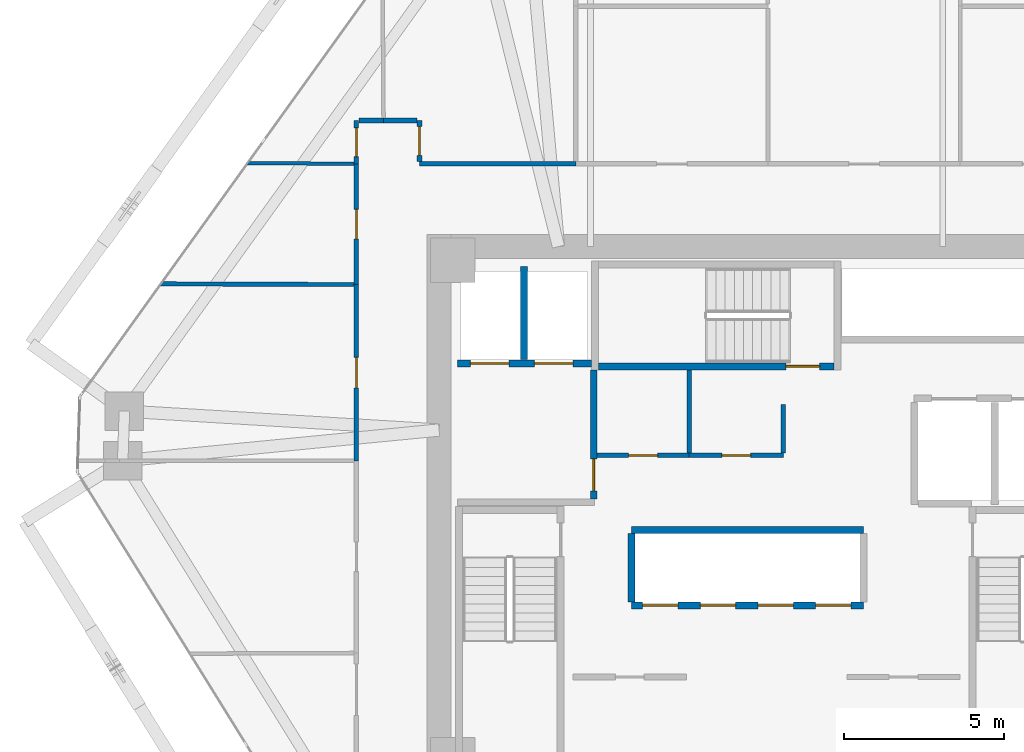
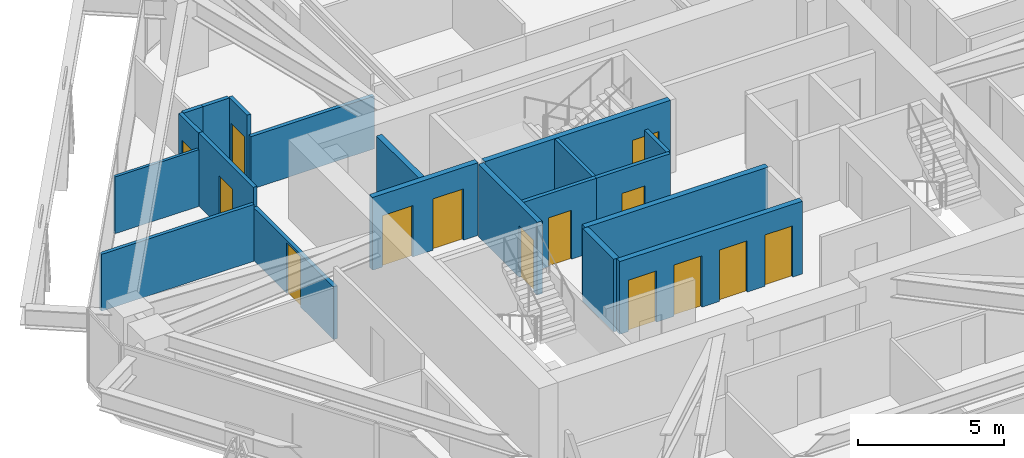
# One storey, part 13 of 16: 20 walls, 14 doors, 14 openings.
"""IFC4 building model written with IfcOpenShell, lengths in metres."""

from ifc_helpers import new_model, si_unit, direction, frame, frame_2d, origin, place, context, subcontext, project, spatial, rectangle, extrude, source, transform, mapped, material, layer, layer_set, type_object, type_shapes, element, fill, save


model = new_model("IFC4")

# Units and contexts
model_context = context("Model", 3, precision=1e-05, world=origin(), true_north=direction((0.0, 1.0)))
body_context = subcontext(model_context, "Body", "Model", "MODEL_VIEW")
ifc_project = project(units=[si_unit("LENGTHUNIT", "METRE"), si_unit("AREAUNIT", "SQUARE_METRE"), si_unit("VOLUMEUNIT", "CUBIC_METRE"), si_unit("PLANEANGLEUNIT", "RADIAN"), si_unit("MASSUNIT", "GRAM", prefix="KILO")], contexts=[model_context])

# Site, building, storey
site_placement = place(None, origin())
site = spatial("IfcSite", under=ifc_project, at=site_placement, CompositionType="ELEMENT")
building_placement = place(site_placement, origin())
building = spatial("IfcBuilding", under=site, at=building_placement, Name="Durnholm Broadcast Tower", CompositionType="ELEMENT")
storey_placement = place(building_placement, frame((0.0, 0.0, 117.300048828125)))
storey = spatial("IfcBuildingStorey", under=building, at=storey_placement, Name="L31", CompositionType="ELEMENT", Elevation=117.300048828125)

# Wall, opening, door
ifc_material_1 = material(Name="Fire-Rated Gypsum Shaftwall", Category="concrete")
ifc_layer_1 = layer(ifc_material_1, 0.199951171875)
ifc_layer_set_1 = layer_set([ifc_layer_1], Name="Fire-Rated Gypsum Shaftwall")
wall_type_1 = type_object("IfcWallType", Name="WALL-LOB-200", PredefinedType="SOLIDWALL", material=ifc_layer_set_1)
wall_1_placement = place(storey_placement, frame((-5.39990234375, 0.35400390625, 0.0), z_axis=(0.0, 0.0, 1.0), x_axis=(0.0, 1.0, 0.0)))
wall_1 = element("IfcWall", 1, at=wall_1_placement, inside=storey, type_object=wall_type_1, Name="L31 Fire Service Access Elevator lobby east fire wall", PredefinedType="SOLIDWALL", context=body_context, shape_type="SweptSolid", body=[
    extrude(rectangle(XDim=4.02587890625, YDim=0.199951171875, at=frame_2d((2.012939453125, 0.0))), origin(), (0.0, 0.0, 1.0), 3.044921875),
])
opening_1_placement = place(wall_1_placement, frame((0.24609375, 0.0, 0.0)))
opening_1 = element("IfcOpeningElement", 2, at=opening_1_placement, cuts=wall_1, Name="Opening DL-60R", PredefinedType="OPENING", context=body_context, shape_type="SweptSolid", body=[
    extrude(rectangle(XDim=1.0, YDim=2.14990234375, at=frame_2d((0.5, 1.074951171875))), frame((0.0, 0.10986328125, 0.0), z_axis=(0.0, -1.0, 0.0), x_axis=(1.0, 0.0, 0.0)), (0.0, 0.0, 1.0), 0.219970703125),
])
ifc_material_2 = material(Name="Fire-Rated Timber/Steel Door", Category="steel")
ifc_layer_2 = layer(ifc_material_2, 0.050048828125)
ifc_layer_set_2 = layer_set([ifc_layer_2], Name="Fire-Rated Timber/Steel Door")
door_type_1 = type_object("IfcDoorType", Name="DOOR-LOB-FD60-R", OperationType="NOTDEFINED", PredefinedType="DOOR", material=ifc_layer_set_2)
shared_shape_1 = source(origin(), body_context, "Body", "SweptSolid", [
    extrude(rectangle(XDim=1.0, YDim=2.14990234375, at=frame_2d((0.5, 1.074951171875))), frame((0.0, 0.02490234375, 0.0), z_axis=(0.0, -1.0, 0.0), x_axis=(1.0, 0.0, 0.0)), (0.0, 0.0, 1.0), 0.050048828125),
])
type_shapes(door_type_1, [shared_shape_1])
door_1_placement = place(opening_1_placement, origin())
door_1 = element("IfcDoor", 3, at=door_1_placement, inside=storey, type_object=door_type_1, Name="L31 Fire Service Access Elevator lobby smoke door", OperationType="SINGLE_SWING_RIGHT", OverallHeight=2.14990234375, OverallWidth=1.0, PredefinedType="DOOR", context=body_context, shape_type="MappedRepresentation", body=[
    mapped(shared_shape_1, transform((0.0, 0.0, 0.0), x_axis=(1.0, 0.0, 0.0), y_axis=(0.0, 1.0, 0.0), z_axis=(0.0, 0.0, 1.0), scale=1.0)),
])
fill(opening_1, door_1)

# Walls
ifc_material_3 = material(Name="Operable Acoustic Panel Partition", Category="aluminium")
ifc_layer_3 = layer(ifc_material_3, 0.110107421875)
ifc_layer_set_3 = layer_set([ifc_layer_3], Name="Operable Acoustic Panel Partition")
wall_type_2 = type_object("IfcWallType", Name="WALL-MOV-110", PredefinedType="MOVABLE", material=ifc_layer_set_3)
wall_2_placement = place(storey_placement, frame((-12.888916015625, 10.810546875, 0.0), z_axis=(0.0, 0.0, 1.0), x_axis=(-0.999976657862, 0.006832549348, 0.0)))
element("IfcWall", 4, at=wall_2_placement, inside=storey, type_object=wall_type_2, Name="L31 room dividing partition 8.23", PredefinedType="MOVABLE", context=body_context, shape_type="SweptSolid", body=[
    extrude(rectangle(XDim=3.322998046875, YDim=0.110107421875, at=frame_2d((1.66162109375, 0.0))), origin(), (0.0, 0.0, 1.0), 2.3798828125),
])
ifc_material_4 = material(Name="Gypsum Metal Stud Partition", Category="concrete")
ifc_layer_4 = layer(ifc_material_4, 0.135009765625)
ifc_layer_set_4 = layer_set([ifc_layer_4], Name="Gypsum Metal Stud Partition")
wall_type_3 = type_object("IfcWallType", Name="WALL-PART-135", PredefinedType="PARTITIONING", material=ifc_layer_set_4)
wall_3_placement = place(storey_placement, frame((-2.419921875, 4.375, 0.0), z_axis=(0.0, 0.0, 1.0), x_axis=(0.0, -1.0, 0.0)))
element("IfcWall", 5, at=wall_3_placement, inside=storey, type_object=wall_type_3, Name="L31 room dividing partition 3.4", PredefinedType="PARTITIONING", context=body_context, shape_type="SweptSolid", body=[
    extrude(rectangle(XDim=2.5859375, YDim=0.135009765625, at=frame_2d((1.29296875, 0.0))), origin(), (0.0, 0.0, 1.0), 3.044921875),
])
wall_4_placement = place(storey_placement, frame((-18.92041015625, 7.063232421875, 0.0), z_axis=(0.0, 0.0, 1.0), x_axis=(0.999992761455, -0.003804870252, 0.0)))
element("IfcWall", 6, at=wall_4_placement, inside=storey, type_object=wall_type_3, Name="L31 room dividing partition 22.23", PredefinedType="PARTITIONING", context=body_context, shape_type="SweptSolid", body=[
    extrude(rectangle(XDim=6.031494140625, YDim=0.135009765625, at=frame_2d((3.015625, 0.0))), origin(), (0.0, 0.0, 1.0), 2.3798828125),
])

# Wall, opening, door
ifc_material_5 = material(Name="Acoustic Gypsum Stud Partition", Category="concrete")
ifc_layer_5 = layer(ifc_material_5, 0.14990234375)
ifc_layer_set_5 = layer_set([ifc_layer_5], Name="Acoustic Gypsum Stud Partition")
wall_type_4 = type_object("IfcWallType", Name="WALL-PART-150", PredefinedType="PARTITIONING", material=ifc_layer_set_5)
wall_5_placement = place(storey_placement, frame((-2.419921875, 1.7099609375, 0.0), z_axis=(0.0, 0.0, 1.0), x_axis=(-1.0, 0.0, 0.0)))
wall_5 = element("IfcWall", 7, at=wall_5_placement, inside=storey, type_object=wall_type_4, Name="L31 Core Equipment Store corridor partition", PredefinedType="PARTITIONING", context=body_context, shape_type="SweptSolid", body=[
    extrude(rectangle(XDim=2.8759765625, YDim=0.14990234375, at=frame_2d((1.43798828125, 0.0))), origin(), (0.0, 0.0, 1.0), 3.044921875),
])
opening_2_placement = place(wall_5_placement, frame((0.988037109375, 0.0, 0.0)))
opening_2 = element("IfcOpeningElement", 8, at=opening_2_placement, cuts=wall_5, Name="Opening DC-60R", PredefinedType="OPENING", context=body_context, shape_type="SweptSolid", body=[
    extrude(rectangle(XDim=0.89990234375, YDim=2.050048828125, at=frame_2d((0.449951171875, 1.02490234375))), frame((0.0, 0.0849609375, 0.0), z_axis=(0.0, -1.0, 0.0), x_axis=(1.0, 0.0, 0.0)), (0.0, 0.0, 1.0), 0.169921875),
])
ifc_material_6 = material(Name="Fire-Rated Core Service Door", Category="steel")
ifc_layer_6 = layer(ifc_material_6, 0.050048828125)
ifc_layer_set_6 = layer_set([ifc_layer_6], Name="Fire-Rated Core Service Door")
door_type_2 = type_object("IfcDoorType", Name="DOOR-CORE-FD60-R", OperationType="NOTDEFINED", PredefinedType="DOOR", material=ifc_layer_set_6)
shared_shape_2 = source(origin(), body_context, "Body", "SweptSolid", [
    extrude(rectangle(XDim=0.89990234375, YDim=2.050048828125, at=frame_2d((0.449951171875, 1.02490234375))), frame((0.0, 0.02490234375, 0.0), z_axis=(0.0, -1.0, 0.0), x_axis=(1.0, 0.0, 0.0)), (0.0, 0.0, 1.0), 0.050048828125),
])
type_shapes(door_type_2, [shared_shape_2])
door_2_placement = place(opening_2_placement, origin())
door_2 = element("IfcDoor", 9, at=door_2_placement, inside=storey, type_object=door_type_2, Name="L31 Core Equipment Store entrance door", OperationType="SINGLE_SWING_RIGHT", OverallHeight=2.050048828125, OverallWidth=0.89990234375, PredefinedType="DOOR", context=body_context, shape_type="MappedRepresentation", body=[
    mapped(shared_shape_2, transform((0.0, 0.0, 0.0), x_axis=(1.0, 0.0, 0.0), y_axis=(0.0, 1.0, 0.0), z_axis=(0.0, 0.0, 1.0), scale=1.0)),
])
fill(opening_2, door_2)

wall_6_placement = place(storey_placement, frame((0.52001953125, 1.7099609375, 0.0), z_axis=(0.0, 0.0, 1.0), x_axis=(-1.0, 0.0, 0.0)))
wall_6 = element("IfcWall", 10, at=wall_6_placement, inside=storey, type_object=wall_type_4, Name="L31 Core Mail and Supply Room corridor partition", PredefinedType="PARTITIONING", context=body_context, shape_type="SweptSolid", body=[
    extrude(rectangle(XDim=2.93994140625, YDim=0.14990234375, at=frame_2d((1.469970703125, 0.0))), origin(), (0.0, 0.0, 1.0), 3.044921875),
])
opening_3_placement = place(wall_6_placement, frame((1.02001953125, 0.0, 0.0)))
opening_3 = element("IfcOpeningElement", 11, at=opening_3_placement, cuts=wall_6, Name="Opening DC-60L", PredefinedType="OPENING", context=body_context, shape_type="SweptSolid", body=[
    extrude(rectangle(XDim=0.89990234375, YDim=2.050048828125, at=frame_2d((0.449951171875, 1.02490234375))), frame((0.0, 0.0849609375, 0.0), z_axis=(0.0, -1.0, 0.0), x_axis=(1.0, 0.0, 0.0)), (0.0, 0.0, 1.0), 0.169921875),
])
ifc_layer_7 = layer(ifc_material_6, 0.050048828125)
ifc_layer_set_7 = layer_set([ifc_layer_7], Name="Fire-Rated Core Service Door")
door_type_3 = type_object("IfcDoorType", Name="DOOR-CORE-FD60-L", OperationType="NOTDEFINED", PredefinedType="DOOR", material=ifc_layer_set_7)
shared_shape_3 = source(origin(), body_context, "Body", "SweptSolid", [
    extrude(rectangle(XDim=0.89990234375, YDim=2.050048828125, at=frame_2d((0.449951171875, 1.02490234375))), frame((0.0, 0.02490234375, 0.0), z_axis=(0.0, -1.0, 0.0), x_axis=(1.0, 0.0, 0.0)), (0.0, 0.0, 1.0), 0.050048828125),
])
type_shapes(door_type_3, [shared_shape_3])
door_3_placement = place(opening_3_placement, origin())
door_3 = element("IfcDoor", 12, at=door_3_placement, inside=storey, type_object=door_type_3, Name="L31 Core Mail and Supply Room entrance door", OperationType="SINGLE_SWING_LEFT", OverallHeight=2.050048828125, OverallWidth=0.89990234375, PredefinedType="DOOR", context=body_context, shape_type="MappedRepresentation", body=[
    mapped(shared_shape_3, transform((0.0, 0.0, 0.0), x_axis=(1.0, 0.0, 0.0), y_axis=(0.0, 1.0, 0.0), z_axis=(0.0, 0.0, 1.0), scale=1.0)),
])
fill(opening_3, door_3)

# Wall
wall_7_placement = place(storey_placement, frame((0.52001953125, 3.300048828125, 0.0), z_axis=(0.0, 0.0, 1.0), x_axis=(0.0, -1.0, 0.0)))
element("IfcWall", 13, at=wall_7_placement, inside=storey, type_object=wall_type_4, Name="L31 Core Mail and Supply Room corridor partition", PredefinedType="PARTITIONING", context=body_context, shape_type="SweptSolid", body=[
    extrude(rectangle(XDim=1.510986328125, YDim=0.14990234375, at=frame_2d((0.75537109375, 0.0))), origin(), (0.0, 0.0, 1.0), 3.044921875),
])

# Wall, opening, door
wall_8_placement = place(storey_placement, frame((-12.81005859375, 12.159912109375, 0.0), z_axis=(0.0, 0.0, 1.0), x_axis=(0.0, -1.0, 0.0)))
wall_8 = element("IfcWall", 14, at=wall_8_placement, inside=storey, type_object=wall_type_4, Name="L31 Syndication Meeting Room 1 corridor partition", PredefinedType="PARTITIONING", context=body_context, shape_type="SweptSolid", body=[
    extrude(rectangle(XDim=1.349853515625, YDim=0.14990234375, at=frame_2d((0.6748046875, 0.0))), origin(), (0.0, 0.0, 1.0), 3.044921875),
])
opening_4_placement = place(wall_8_placement, frame((0.22509765625, 0.0, 0.0)))
opening_4 = element("IfcOpeningElement", 15, at=opening_4_placement, cuts=wall_8, Name="Opening DW-90L", PredefinedType="OPENING", context=body_context, shape_type="SweptSolid", body=[
    extrude(rectangle(XDim=0.89990234375, YDim=2.050048828125, at=frame_2d((0.449951171875, 1.02490234375))), frame((0.0, 0.0849609375, 0.0), z_axis=(0.0, -1.0, 0.0), x_axis=(1.0, 0.0, 0.0)), (0.0, 0.0, 1.0), 0.169921875),
])
ifc_material_7 = material(Name="Laminate Restroom Door", Category="steel")
ifc_layer_8 = layer(ifc_material_7, 0.050048828125)
ifc_layer_set_8 = layer_set([ifc_layer_8], Name="Laminate Restroom Door")
door_type_4 = type_object("IfcDoorType", Name="DOOR-WC-900L", OperationType="NOTDEFINED", PredefinedType="DOOR", material=ifc_layer_set_8)
shared_shape_4 = source(origin(), body_context, "Body", "SweptSolid", [
    extrude(rectangle(XDim=0.89990234375, YDim=2.050048828125, at=frame_2d((0.449951171875, 1.02490234375))), frame((0.0, 0.02490234375, 0.0), z_axis=(0.0, -1.0, 0.0), x_axis=(1.0, 0.0, 0.0)), (0.0, 0.0, 1.0), 0.050048828125),
])
type_shapes(door_type_4, [shared_shape_4])
door_4_placement = place(opening_4_placement, origin())
door_4 = element("IfcDoor", 16, at=door_4_placement, inside=storey, type_object=door_type_4, Name="L31 Syndication Meeting Room 1 entrance door", OperationType="SINGLE_SWING_LEFT", OverallHeight=2.050048828125, OverallWidth=0.89990234375, PredefinedType="DOOR", context=body_context, shape_type="MappedRepresentation", body=[
    mapped(shared_shape_4, transform((0.0, 0.0, 0.0), x_axis=(1.0, 0.0, 0.0), y_axis=(0.0, 1.0, 0.0), z_axis=(0.0, 0.0, 1.0), scale=1.0)),
])
fill(opening_4, door_4)

# Walls
wall_9_placement = place(storey_placement, frame((-11.9599609375, 12.159912109375, 0.0), z_axis=(0.0, 0.0, 1.0), x_axis=(-1.0, 0.0, 0.0)))
element("IfcWall", 17, at=wall_9_placement, inside=storey, type_object=wall_type_4, Name="L31 Syndication Meeting Room 1 corridor partition", PredefinedType="PARTITIONING", context=body_context, shape_type="SweptSolid", body=[
    extrude(rectangle(XDim=0.77099609375, YDim=0.14990234375, at=frame_2d((0.385498046875, 0.0))), origin(), (0.0, 0.0, 1.0), 3.044921875),
])
wall_10_placement = place(storey_placement, frame((-5.9599609375, 10.81005859375, 0.0), z_axis=(0.0, 0.0, 1.0), x_axis=(-1.0, 0.0, 0.0)))
element("IfcWall", 18, at=wall_10_placement, inside=storey, type_object=wall_type_4, Name="L31 Open Plan Broadcast Workspace 3 corridor partition", PredefinedType="PARTITIONING", context=body_context, shape_type="SweptSolid", body=[
    extrude(rectangle(XDim=4.880126953125, YDim=0.14990234375, at=frame_2d((2.43994140625, 0.0))), origin(), (0.0, 0.0, 1.0), 2.212158203125),
])

# Wall, opening, door
wall_11_placement = place(storey_placement, frame((-10.840087890625, 10.888916015625, 0.0), z_axis=(0.0, 0.0, 1.0), x_axis=(0.0, 1.0, 0.0)))
wall_11 = element("IfcWall", 19, at=wall_11_placement, inside=storey, type_object=wall_type_4, Name="L31 Open Plan Broadcast Workspace 3 corridor partition", PredefinedType="PARTITIONING", context=body_context, shape_type="SweptSolid", body=[
    extrude(rectangle(XDim=1.27099609375, YDim=0.14990234375, at=frame_2d((0.635498046875, 0.0))), origin(), (0.0, 0.0, 1.0), 3.044921875),
])
opening_5_placement = place(wall_11_placement, frame((0.185546875, 0.0, 0.0)))
opening_5 = element("IfcOpeningElement", 20, at=opening_5_placement, cuts=wall_11, Name="Opening DW-90R", PredefinedType="OPENING", context=body_context, shape_type="SweptSolid", body=[
    extrude(rectangle(XDim=0.89990234375, YDim=2.050048828125, at=frame_2d((0.449951171875, 1.02490234375))), frame((0.0, 0.0849609375, 0.0), z_axis=(0.0, -1.0, 0.0), x_axis=(1.0, 0.0, 0.0)), (0.0, 0.0, 1.0), 0.169921875),
])
ifc_layer_9 = layer(ifc_material_7, 0.050048828125)
ifc_layer_set_9 = layer_set([ifc_layer_9], Name="Laminate Restroom Door")
door_type_5 = type_object("IfcDoorType", Name="DOOR-WC-900R", OperationType="NOTDEFINED", PredefinedType="DOOR", material=ifc_layer_set_9)
shared_shape_5 = source(origin(), body_context, "Body", "SweptSolid", [
    extrude(rectangle(XDim=0.89990234375, YDim=2.050048828125, at=frame_2d((0.449951171875, 1.02490234375))), frame((0.0, 0.02490234375, 0.0), z_axis=(0.0, -1.0, 0.0), x_axis=(1.0, 0.0, 0.0)), (0.0, 0.0, 1.0), 0.050048828125),
])
type_shapes(door_type_5, [shared_shape_5])
door_5_placement = place(opening_5_placement, origin())
door_5 = element("IfcDoor", 21, at=door_5_placement, inside=storey, type_object=door_type_5, Name="L31 Open Plan Broadcast Workspace 3 entrance door", OperationType="SINGLE_SWING_RIGHT", OverallHeight=2.050048828125, OverallWidth=0.89990234375, PredefinedType="DOOR", context=body_context, shape_type="MappedRepresentation", body=[
    mapped(shared_shape_5, transform((0.0, 0.0, 0.0), x_axis=(1.0, 0.0, 0.0), y_axis=(0.0, 1.0, 0.0), z_axis=(0.0, 0.0, 1.0), scale=1.0)),
])
fill(opening_5, door_5)

# Wall
wall_12_placement = place(storey_placement, frame((-10.9189453125, 12.159912109375, 0.0), z_axis=(0.0, 0.0, 1.0), x_axis=(-1.0, 0.0, 0.0)))
element("IfcWall", 22, at=wall_12_placement, inside=storey, type_object=wall_type_4, Name="L31 Open Plan Broadcast Workspace 3 corridor partition", PredefinedType="PARTITIONING", context=body_context, shape_type="SweptSolid", body=[
    extrude(rectangle(XDim=1.041015625, YDim=0.14990234375, at=frame_2d((0.5205078125, 0.0))), origin(), (0.0, 0.0, 1.0), 3.044921875),
])

# Wall, opening, door
wall_13_placement = place(storey_placement, frame((-12.81005859375, 7.0400390625, 0.0), z_axis=(0.0, 0.0, 1.0), x_axis=(0.0, -1.0, 0.0)))
wall_13 = element("IfcWall", 23, at=wall_13_placement, inside=storey, type_object=wall_type_4, Name="L31 Hospitality Kitchen corridor partition", PredefinedType="PARTITIONING", context=body_context, shape_type="SweptSolid", body=[
    extrude(rectangle(XDim=5.5, YDim=0.14990234375, at=frame_2d((2.75, 0.0))), origin(), (0.0, 0.0, 1.0), 2.212158203125),
])
opening_6_placement = place(wall_13_placement, frame((2.27490234375, 0.0, 0.0)))
opening_6 = element("IfcOpeningElement", 24, at=opening_6_placement, cuts=wall_13, Name="Opening DR-95L", PredefinedType="OPENING", context=body_context, shape_type="SweptSolid", body=[
    extrude(rectangle(XDim=0.949951171875, YDim=2.10009765625, at=frame_2d((0.47509765625, 1.050048828125))), frame((0.0, 0.0849609375, 0.0), z_axis=(0.0, -1.0, 0.0), x_axis=(1.0, 0.0, 0.0)), (0.0, 0.0, 1.0), 0.169921875),
])
ifc_material_8 = material(Name="Acoustic Oak Veneer Timber Door", Category="wood")
ifc_layer_10 = layer(ifc_material_8, 0.050048828125)
ifc_layer_set_10 = layer_set([ifc_layer_10], Name="Acoustic Oak Veneer Timber Door")
door_type_6 = type_object("IfcDoorType", Name="DOOR-RM-950L", OperationType="NOTDEFINED", PredefinedType="DOOR", material=ifc_layer_set_10)
shared_shape_6 = source(origin(), body_context, "Body", "SweptSolid", [
    extrude(rectangle(XDim=0.949951171875, YDim=2.10009765625, at=frame_2d((0.47509765625, 1.050048828125))), frame((0.0, 0.02490234375, 0.0), z_axis=(0.0, -1.0, 0.0), x_axis=(1.0, 0.0, 0.0)), (0.0, 0.0, 1.0), 0.050048828125),
])
type_shapes(door_type_6, [shared_shape_6])
door_6_placement = place(opening_6_placement, origin())
door_6 = element("IfcDoor", 25, at=door_6_placement, inside=storey, type_object=door_type_6, Name="L31 Hospitality Kitchen entrance door", OperationType="SINGLE_SWING_LEFT", OverallHeight=2.10009765625, OverallWidth=0.949951171875, PredefinedType="DOOR", context=body_context, shape_type="MappedRepresentation", body=[
    mapped(shared_shape_6, transform((0.0, 0.0, 0.0), x_axis=(1.0, 0.0, 0.0), y_axis=(0.0, 1.0, 0.0), z_axis=(0.0, 0.0, 1.0), scale=1.0)),
])
fill(opening_6, door_6)

wall_14_placement = place(storey_placement, frame((-12.81005859375, 10.81005859375, 0.0), z_axis=(0.0, 0.0, 1.0), x_axis=(0.0, -1.0, 0.0)))
wall_14 = element("IfcWall", 26, at=wall_14_placement, inside=storey, type_object=wall_type_4, Name="L31 Account Lounge corridor partition", PredefinedType="PARTITIONING", context=body_context, shape_type="SweptSolid", body=[
    extrude(rectangle(XDim=3.77001953125, YDim=0.14990234375, at=frame_2d((1.885009765625, 0.0))), origin(), (0.0, 0.0, 1.0), 3.044921875),
])
opening_7_placement = place(wall_14_placement, frame((1.425048828125, 0.0, 0.0)))
opening_7 = element("IfcOpeningElement", 27, at=opening_7_placement, cuts=wall_14, Name="Opening DR-92R", PredefinedType="OPENING", context=body_context, shape_type="SweptSolid", body=[
    extrude(rectangle(XDim=0.919921875, YDim=2.10009765625, at=frame_2d((0.4599609375, 1.050048828125))), frame((0.0, 0.0849609375, 0.0), z_axis=(0.0, -1.0, 0.0), x_axis=(1.0, 0.0, 0.0)), (0.0, 0.0, 1.0), 0.169921875),
])
ifc_material_9 = material(Name="Oak Veneer Office Door", Category="wood")
ifc_layer_11 = layer(ifc_material_9, 0.050048828125)
ifc_layer_set_11 = layer_set([ifc_layer_11], Name="Oak Veneer Office Door")
door_type_7 = type_object("IfcDoorType", Name="DOOR-RM-920R", OperationType="NOTDEFINED", PredefinedType="DOOR", material=ifc_layer_set_11)
shared_shape_7 = source(origin(), body_context, "Body", "SweptSolid", [
    extrude(rectangle(XDim=0.919921875, YDim=2.10009765625, at=frame_2d((0.4599609375, 1.050048828125))), frame((0.0, 0.02490234375, 0.0), z_axis=(0.0, -1.0, 0.0), x_axis=(1.0, 0.0, 0.0)), (0.0, 0.0, 1.0), 0.050048828125),
])
type_shapes(door_type_7, [shared_shape_7])
door_7_placement = place(opening_7_placement, origin())
door_7 = element("IfcDoor", 28, at=door_7_placement, inside=storey, type_object=door_type_7, Name="L31 Account Lounge entrance door", OperationType="SINGLE_SWING_RIGHT", OverallHeight=2.10009765625, OverallWidth=0.919921875, PredefinedType="DOOR", context=body_context, shape_type="MappedRepresentation", body=[
    mapped(shared_shape_7, transform((0.0, 0.0, 0.0), x_axis=(1.0, 0.0, 0.0), y_axis=(0.0, 1.0, 0.0), z_axis=(0.0, 0.0, 1.0), scale=1.0)),
])
fill(opening_7, door_7)

# Wall, openings, doors
ifc_material_10 = material(Name="Concrete Blockwork C30/37", Category="masonry")
ifc_layer_12 = layer(ifc_material_10, 0.219970703125)
ifc_layer_set_12 = layer_set([ifc_layer_12], Name="Concrete Blockwork C30/37")
wall_type_5 = type_object("IfcWallType", Name="WALL-SHAFT-220", PredefinedType="SOLIDWALL", material=ifc_layer_set_12)
wall_15_placement = place(storey_placement, frame((-9.64990234375, 4.580078125, 0.0), z_axis=(0.0, 0.0, 1.0), x_axis=(1.0, 0.0, 0.0)))
wall_15 = element("IfcWall", 29, at=wall_15_placement, inside=storey, type_object=wall_type_5, Name="L31 FSAE hoistway front fire wall", PredefinedType="SOLIDWALL", context=body_context, shape_type="SweptSolid", body=[
    extrude(rectangle(XDim=4.1748046875, YDim=0.219970703125, at=frame_2d((2.08740234375, 0.0))), origin(), (0.0, 0.0, 1.0), 3.044921875),
])
opening_8_placement = place(wall_15_placement, frame((0.39990234375, 0.0, 0.0)))
opening_8 = element("IfcOpeningElement", 30, at=opening_8_placement, cuts=wall_15, Name="Opening LD-FSAE-2", PredefinedType="OPENING", context=body_context, shape_type="SweptSolid", body=[
    extrude(rectangle(XDim=1.199951171875, YDim=2.14990234375, at=frame_2d((0.60009765625, 1.074951171875))), frame((0.0, 0.1201171875, 0.0), z_axis=(0.0, -1.0, 0.0), x_axis=(1.0, 0.0, 0.0)), (0.0, 0.0, 1.0), 0.239990234375),
])
opening_9_placement = place(wall_15_placement, frame((2.39990234375, 0.0, 0.0)))
opening_9 = element("IfcOpeningElement", 31, at=opening_9_placement, cuts=wall_15, Name="Opening LD-FSAE-1", PredefinedType="OPENING", context=body_context, shape_type="SweptSolid", body=[
    extrude(rectangle(XDim=1.199951171875, YDim=2.14990234375, at=frame_2d((0.60009765625, 1.074951171875))), frame((0.0, 0.1201171875, 0.0), z_axis=(0.0, -1.0, 0.0), x_axis=(1.0, 0.0, 0.0)), (0.0, 0.0, 1.0), 0.239990234375),
])
ifc_material_11 = material(Name="Fire Service Access Sliding Landing Door", Category="steel")
ifc_layer_13 = layer(ifc_material_11, 0.050048828125)
ifc_layer_set_13 = layer_set([ifc_layer_13], Name="Fire Service Access Sliding Landing Door")
door_type_8 = type_object("IfcDoorType", Name="DOOR-LIFT-FSAE", OperationType="DOUBLE_DOOR_SLIDING", PredefinedType="DOOR", material=ifc_layer_set_13)
shared_shape_8 = source(origin(), body_context, "Body", "SweptSolid", [
    extrude(rectangle(XDim=1.199951171875, YDim=2.14990234375, at=frame_2d((0.60009765625, 1.074951171875))), frame((0.0, 0.02490234375, 0.0), z_axis=(0.0, -1.0, 0.0), x_axis=(1.0, 0.0, 0.0)), (0.0, 0.0, 1.0), 0.050048828125),
])
type_shapes(door_type_8, [shared_shape_8])
door_8_placement = place(opening_8_placement, origin())
door_8 = element("IfcDoor", 32, at=door_8_placement, inside=storey, type_object=door_type_8, Name="L31 Fire Service Access Elevator FSAE-2 sliding landing door", OperationType="DOUBLE_DOOR_SLIDING", OverallHeight=2.14990234375, OverallWidth=1.199951171875, PredefinedType="DOOR", context=body_context, shape_type="MappedRepresentation", body=[
    mapped(shared_shape_8, transform((0.0, 0.0, 0.0), x_axis=(1.0, 0.0, 0.0), y_axis=(0.0, 1.0, 0.0), z_axis=(0.0, 0.0, 1.0), scale=1.0)),
])
fill(opening_8, door_8)
door_9_placement = place(opening_9_placement, origin())
door_9 = element("IfcDoor", 33, at=door_9_placement, inside=storey, type_object=door_type_8, Name="L31 Fire Service Access Elevator FSAE-1 sliding landing door", OperationType="DOUBLE_DOOR_SLIDING", OverallHeight=2.14990234375, OverallWidth=1.199951171875, PredefinedType="DOOR", context=body_context, shape_type="MappedRepresentation", body=[
    mapped(shared_shape_8, transform((0.0, 0.0, 0.0), x_axis=(1.0, 0.0, 0.0), y_axis=(0.0, 1.0, 0.0), z_axis=(0.0, 0.0, 1.0), scale=1.0)),
])
fill(opening_9, door_9)

# Wall
wall_16_placement = place(storey_placement, frame((-7.580078125, 4.694091796875, 0.0), z_axis=(0.0, 0.0, 1.0), x_axis=(0.0, 1.0, 0.0)))
element("IfcWall", 34, at=wall_16_placement, inside=storey, type_object=wall_type_5, Name="L31 FSAE shaft divider wall", PredefinedType="SOLIDWALL", context=body_context, shape_type="SweptSolid", body=[
    extrude(rectangle(XDim=2.906005859375, YDim=0.219970703125, at=frame_2d((1.453125, 0.0))), origin(), (0.0, 0.0, 1.0), 3.044921875),
])

# Wall, openings, doors
wall_17_placement = place(storey_placement, frame((-4.219970703125, -2.97998046875, 0.0), z_axis=(0.0, 0.0, 1.0), x_axis=(1.0, 0.0, 0.0)))
wall_17 = element("IfcWall", 35, at=wall_17_placement, inside=storey, type_object=wall_type_5, Name="L31 mid-rise bank P2 south front wall", PredefinedType="SOLIDWALL", context=body_context, shape_type="SweptSolid", body=[
    extrude(rectangle(XDim=7.239990234375, YDim=0.219970703125, at=frame_2d((3.6201171875, 0.0))), origin(), (0.0, 0.0, 1.0), 3.044921875),
])
opening_10_placement = place(wall_17_placement, frame((0.35009765625, 0.0, 0.0)))
opening_10 = element("IfcOpeningElement", 36, at=opening_10_placement, cuts=wall_17, Name="Opening LD-LP2-1", PredefinedType="OPENING", context=body_context, shape_type="SweptSolid", body=[
    extrude(rectangle(XDim=1.10009765625, YDim=2.14990234375, at=frame_2d((0.550048828125, 1.074951171875))), frame((0.0, 0.1201171875, 0.0), z_axis=(0.0, -1.0, 0.0), x_axis=(1.0, 0.0, 0.0)), (0.0, 0.0, 1.0), 0.239990234375),
])
opening_11_placement = place(wall_17_placement, frame((2.14990234375, 0.0, 0.0)))
opening_11 = element("IfcOpeningElement", 37, at=opening_11_placement, cuts=wall_17, Name="Opening LD-LP2-2", PredefinedType="OPENING", context=body_context, shape_type="SweptSolid", body=[
    extrude(rectangle(XDim=1.10009765625, YDim=2.14990234375, at=frame_2d((0.550048828125, 1.074951171875))), frame((0.0, 0.1201171875, 0.0), z_axis=(0.0, -1.0, 0.0), x_axis=(1.0, 0.0, 0.0)), (0.0, 0.0, 1.0), 0.239990234375),
])
opening_12_placement = place(wall_17_placement, frame((3.949951171875, 0.0, 0.0)))
opening_12 = element("IfcOpeningElement", 38, at=opening_12_placement, cuts=wall_17, Name="Opening LD-LP2-3", PredefinedType="OPENING", context=body_context, shape_type="SweptSolid", body=[
    extrude(rectangle(XDim=1.10009765625, YDim=2.14990234375, at=frame_2d((0.550048828125, 1.074951171875))), frame((0.0, 0.1201171875, 0.0), z_axis=(0.0, -1.0, 0.0), x_axis=(1.0, 0.0, 0.0)), (0.0, 0.0, 1.0), 0.239990234375),
])
opening_13_placement = place(wall_17_placement, frame((5.75, 0.0, 0.0)))
opening_13 = element("IfcOpeningElement", 39, at=opening_13_placement, cuts=wall_17, Name="Opening LD-LP2-4", PredefinedType="OPENING", context=body_context, shape_type="SweptSolid", body=[
    extrude(rectangle(XDim=1.10009765625, YDim=2.14990234375, at=frame_2d((0.550048828125, 1.074951171875))), frame((0.0, 0.1201171875, 0.0), z_axis=(0.0, -1.0, 0.0), x_axis=(1.0, 0.0, 0.0)), (0.0, 0.0, 1.0), 0.239990234375),
])
ifc_material_12 = material(Name="Stainless Steel Sliding Elevator Landing Door", Category="steel")
ifc_layer_14 = layer(ifc_material_12, 0.050048828125)
ifc_layer_set_14 = layer_set([ifc_layer_14], Name="Stainless Steel Sliding Elevator Landing Door")
door_type_9 = type_object("IfcDoorType", Name="DOOR-LIFT-PAX", OperationType="DOUBLE_DOOR_SLIDING", PredefinedType="DOOR", material=ifc_layer_set_14)
shared_shape_9 = source(origin(), body_context, "Body", "SweptSolid", [
    extrude(rectangle(XDim=1.10009765625, YDim=2.14990234375, at=frame_2d((0.550048828125, 1.074951171875))), frame((0.0, 0.02490234375, 0.0), z_axis=(0.0, -1.0, 0.0), x_axis=(1.0, 0.0, 0.0)), (0.0, 0.0, 1.0), 0.050048828125),
])
type_shapes(door_type_9, [shared_shape_9])
door_10_placement = place(opening_10_placement, origin())
door_10 = element("IfcDoor", 40, at=door_10_placement, inside=storey, type_object=door_type_9, Name="L31 passenger elevator LP2-1 sliding landing door", OperationType="DOUBLE_DOOR_SLIDING", OverallHeight=2.14990234375, OverallWidth=1.10009765625, PredefinedType="DOOR", context=body_context, shape_type="MappedRepresentation", body=[
    mapped(shared_shape_9, transform((0.0, 0.0, 0.0), x_axis=(1.0, 0.0, 0.0), y_axis=(0.0, 1.0, 0.0), z_axis=(0.0, 0.0, 1.0), scale=1.0)),
])
fill(opening_10, door_10)
door_11_placement = place(opening_11_placement, origin())
door_11 = element("IfcDoor", 41, at=door_11_placement, inside=storey, type_object=door_type_9, Name="L31 passenger elevator LP2-2 sliding landing door", OperationType="DOUBLE_DOOR_SLIDING", OverallHeight=2.14990234375, OverallWidth=1.10009765625, PredefinedType="DOOR", context=body_context, shape_type="MappedRepresentation", body=[
    mapped(shared_shape_9, transform((0.0, 0.0, 0.0), x_axis=(1.0, 0.0, 0.0), y_axis=(0.0, 1.0, 0.0), z_axis=(0.0, 0.0, 1.0), scale=1.0)),
])
fill(opening_11, door_11)
door_12_placement = place(opening_12_placement, origin())
door_12 = element("IfcDoor", 42, at=door_12_placement, inside=storey, type_object=door_type_9, Name="L31 passenger elevator LP2-3 sliding landing door", OperationType="DOUBLE_DOOR_SLIDING", OverallHeight=2.14990234375, OverallWidth=1.10009765625, PredefinedType="DOOR", context=body_context, shape_type="MappedRepresentation", body=[
    mapped(shared_shape_9, transform((0.0, 0.0, 0.0), x_axis=(1.0, 0.0, 0.0), y_axis=(0.0, 1.0, 0.0), z_axis=(0.0, 0.0, 1.0), scale=1.0)),
])
fill(opening_12, door_12)
door_13_placement = place(opening_13_placement, origin())
door_13 = element("IfcDoor", 43, at=door_13_placement, inside=storey, type_object=door_type_9, Name="L31 passenger elevator LP2-4 sliding landing door", OperationType="DOUBLE_DOOR_SLIDING", OverallHeight=2.14990234375, OverallWidth=1.10009765625, PredefinedType="DOOR", context=body_context, shape_type="MappedRepresentation", body=[
    mapped(shared_shape_9, transform((0.0, 0.0, 0.0), x_axis=(1.0, 0.0, 0.0), y_axis=(0.0, 1.0, 0.0), z_axis=(0.0, 0.0, 1.0), scale=1.0)),
])
fill(opening_13, door_13)

# Walls
wall_18_placement = place(storey_placement, frame((-4.219970703125, -0.6201171875, 0.0), z_axis=(0.0, 0.0, 1.0), x_axis=(1.0, 0.0, 0.0)))
element("IfcWall", 44, at=wall_18_placement, inside=storey, type_object=wall_type_5, Name="L31 mid-rise bank P2 north shaft wall", PredefinedType="SOLIDWALL", context=body_context, shape_type="SweptSolid", body=[
    extrude(rectangle(XDim=7.239990234375, YDim=0.219970703125, at=frame_2d((3.6201171875, 0.0))), origin(), (0.0, 0.0, 1.0), 3.044921875),
])
wall_19_placement = place(storey_placement, frame((-4.219970703125, -2.865966796875, 0.0), z_axis=(0.0, 0.0, 1.0), x_axis=(0.0, 1.0, 0.0)))
element("IfcWall", 45, at=wall_19_placement, inside=storey, type_object=wall_type_5, Name="L31 mid-rise bank P2 west shaft wall", PredefinedType="SOLIDWALL", context=body_context, shape_type="SweptSolid", body=[
    extrude(rectangle(XDim=2.132080078125, YDim=0.219970703125, at=frame_2d((1.06591796875, 0.0))), origin(), (0.0, 0.0, 1.0), 3.044921875),
])

# Wall, opening, door
ifc_material_13 = material(Name="Concrete C50/60", Category="concrete")
ifc_layer_15 = layer(ifc_material_13, 0.219970703125)
ifc_layer_set_15 = layer_set([ifc_layer_15], Name="Concrete C50/60")
wall_type_6 = type_object("IfcWallType", Name="WALL-SW-220", PredefinedType="SHEAR", material=ifc_layer_set_15)
wall_20_placement = place(storey_placement, frame((-5.25, 4.489990234375, -0.239990234375), z_axis=(0.0, 0.0, 1.0), x_axis=(1.0, 0.0, 0.0)))
wall_20 = element("IfcWall", 46, at=wall_20_placement, inside=storey, type_object=wall_type_6, Name="L31 stair ST-3 structural shaft wall S", PredefinedType="SHEAR", context=body_context, shape_type="SweptSolid", body=[
    extrude(rectangle(XDim=7.35009765625, YDim=0.219970703125, at=frame_2d((3.675048828125, 0.0))), origin(), (0.0, 0.0, 1.0), 3.300048828125),
])
opening_14_placement = place(wall_20_placement, frame((5.85009765625, 0.0, 0.0)))
opening_14 = element("IfcOpeningElement", 47, at=opening_14_placement, cuts=wall_20, Name="Opening DS-90L", PredefinedType="OPENING", context=body_context, shape_type="SweptSolid", body=[
    extrude(rectangle(XDim=1.050048828125, YDim=2.14990234375, at=frame_2d((0.52490234375, 1.074951171875))), frame((0.0, 0.1201171875, 0.0), z_axis=(0.0, -1.0, 0.0), x_axis=(1.0, 0.0, 0.0)), (0.0, 0.0, 1.0), 0.239990234375),
])
ifc_material_14 = material(Name="Fire-Rated Steel Door", Category="steel")
ifc_layer_16 = layer(ifc_material_14, 0.050048828125)
ifc_layer_set_16 = layer_set([ifc_layer_16], Name="Fire-Rated Steel Door")
door_type_10 = type_object("IfcDoorType", Name="DOOR-ST-FD90-L", OperationType="NOTDEFINED", PredefinedType="DOOR", material=ifc_layer_set_16)
shared_shape_10 = source(origin(), body_context, "Body", "SweptSolid", [
    extrude(rectangle(XDim=1.050048828125, YDim=2.14990234375, at=frame_2d((0.52490234375, 1.074951171875))), frame((0.0, 0.02490234375, 0.0), z_axis=(0.0, -1.0, 0.0), x_axis=(1.0, 0.0, 0.0)), (0.0, 0.0, 1.0), 0.050048828125),
])
type_shapes(door_type_10, [shared_shape_10])
door_14_placement = place(opening_14_placement, origin())
door_14 = element("IfcDoor", 48, at=door_14_placement, inside=storey, type_object=door_type_10, Name="L31 exit stair ST-3 fire door", OperationType="SINGLE_SWING_LEFT", OverallHeight=2.14990234375, OverallWidth=1.050048828125, PredefinedType="DOOR", context=body_context, shape_type="MappedRepresentation", body=[
    mapped(shared_shape_10, transform((0.0, 0.0, 0.0), x_axis=(1.0, 0.0, 0.0), y_axis=(0.0, 1.0, 0.0), z_axis=(0.0, 0.0, 1.0), scale=1.0)),
])
fill(opening_14, door_14)

save(model, "model.ifc")
